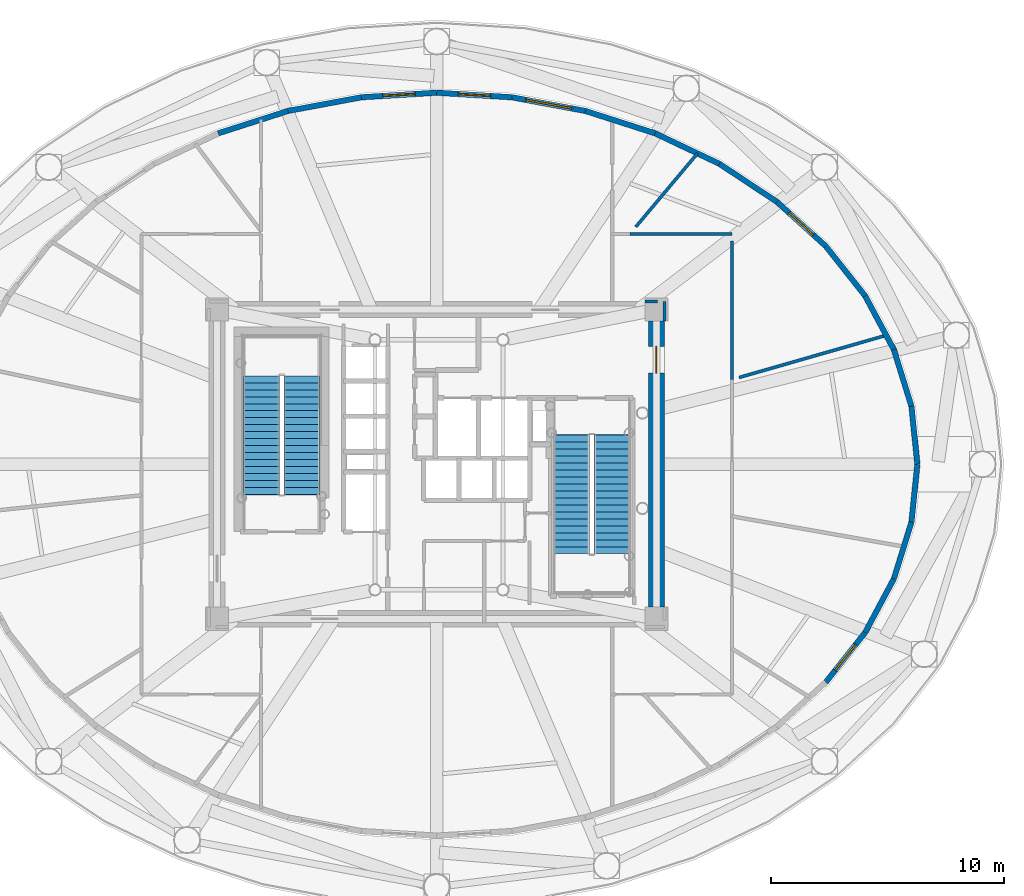
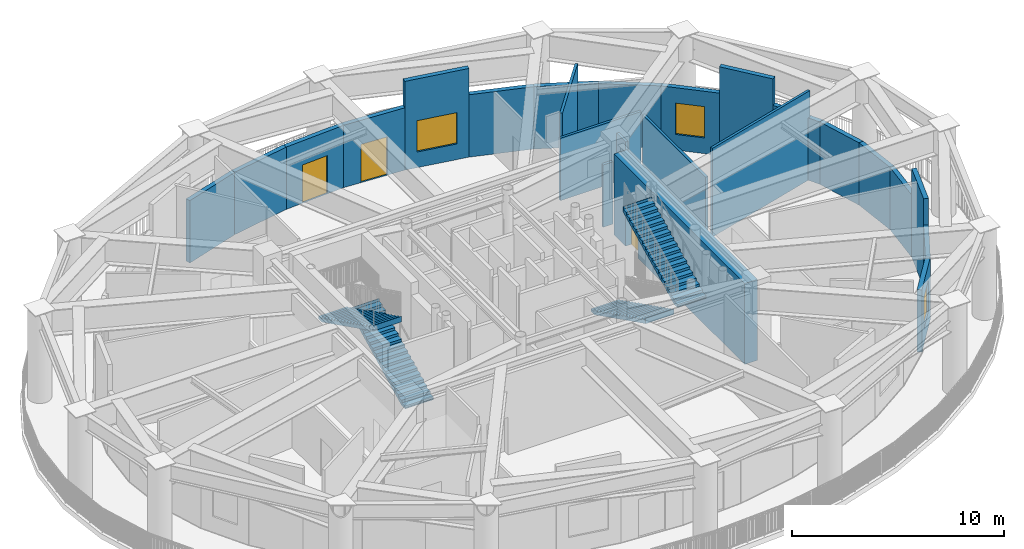
# One storey, part 7 of 14: 24 walls, 4 stair flights, 3 doors, 3 windows, 6 openings, 2 elements without a shape of their own.
"""IFC4 building model written with IfcOpenShell, lengths in metres."""

from ifc_helpers import new_model, si_unit, direction, frame, frame_2d, origin, origin_2d, place, context, subcontext, project, spatial, polyline, rectangle, outline, extrude, source, transform, mapped, material, layer, layer_set, type_object, element, fill, aggregate, save


model = new_model("IFC4")

# Units and contexts
model_context = context("Model", 3, precision=1e-05, world=origin(), true_north=direction((0.0, 1.0)))
body_context = subcontext(model_context, "Body", "Model", "MODEL_VIEW")
ifc_project = project(units=[si_unit("LENGTHUNIT", "METRE"), si_unit("AREAUNIT", "SQUARE_METRE"), si_unit("VOLUMEUNIT", "CUBIC_METRE"), si_unit("PLANEANGLEUNIT", "RADIAN"), si_unit("MASSUNIT", "GRAM", prefix="KILO")], contexts=[model_context])

# Site, building, storey
site_placement = place(None, origin())
site = spatial("IfcSite", under=ifc_project, at=site_placement, CompositionType="ELEMENT")
building_placement = place(site_placement, origin())
building = spatial("IfcBuilding", under=site, at=building_placement, Name="Linh Dai School and Residence Tower", CompositionType="ELEMENT")
storey_placement = place(building_placement, frame((0.0, 0.0, 262.800048828125)))
storey = spatial("IfcBuildingStorey", under=building, at=storey_placement, Name="L65", CompositionType="ELEMENT", Elevation=262.800048828125)

# Walls
ifc_material_1 = material(Name="Precast Concrete B45 (C35/45)", Category="concrete")
ifc_layer_1 = layer(ifc_material_1, 0.239990234375)
ifc_layer_set_1 = layer_set([ifc_layer_1], Name="Precast Concrete B45 (C35/45)")
wall_type_1 = type_object("IfcWallType", Name="EW-TC-240", PredefinedType="SOLIDWALL", material=ifc_layer_set_1)
wall_1_placement = place(storey_placement, frame((56.42138671875, 29.494384765625, 0.0), z_axis=(0.0, 0.0, 1.0), x_axis=(0.101171468586, -0.994869003409, 0.0)))
element("IfcWall", 1, at=wall_1_placement, inside=storey, type_object=wall_type_1, Name="L65 Terracotta Exterior Wall 01", PredefinedType="SOLIDWALL", context=body_context, shape_type="SweptSolid", body=[
    extrude(rectangle(XDim=2.50732421875, YDim=0.239990234375, at=frame_2d((1.253662109375, 0.0))), origin(), (0.0, 0.0, 1.0), 3.5849609375),
])
wall_2_placement = place(storey_placement, frame((55.666748046875, 31.928466796875, 0.0), z_axis=(0.0, 0.0, 1.0), x_axis=(0.296124991875, -0.955149197344, 0.0)))
element("IfcWall", 2, at=wall_2_placement, inside=storey, type_object=wall_type_1, Name="L65 Terracotta Exterior Wall 02", PredefinedType="SOLIDWALL", context=body_context, shape_type="SweptSolid", body=[
    extrude(rectangle(XDim=2.54833984375, YDim=0.239990234375, at=frame_2d((1.274169921875, 0.0))), origin(), (0.0, 0.0, 1.0), 3.5849609375),
])
wall_3_placement = place(storey_placement, frame((54.428466796875, 34.242919921875, 0.0), z_axis=(0.0, 0.0, 1.0), x_axis=(0.47174643097, -0.881734259778, 0.0)))
element("IfcWall", 3, at=wall_3_placement, inside=storey, type_object=wall_type_1, Name="L65 Terracotta Exterior Wall 03", PredefinedType="SOLIDWALL", context=body_context, shape_type="SweptSolid", body=[
    extrude(rectangle(XDim=2.625, YDim=0.239990234375, at=frame_2d((1.3125, 0.0))), origin(), (0.0, 0.0, 1.0), 3.5849609375),
])
wall_4_placement = place(storey_placement, frame((52.736328125, 36.380859375, 0.0), z_axis=(0.0, 0.0, 1.0), x_axis=(0.620613494193, -0.784116630882, 0.0)))
element("IfcWall", 4, at=wall_4_placement, inside=storey, type_object=wall_type_1, Name="L65 Terracotta Exterior Wall 04", PredefinedType="SOLIDWALL", context=body_context, shape_type="SweptSolid", body=[
    extrude(rectangle(XDim=2.7265625, YDim=0.239990234375, at=frame_2d((1.36328125, 0.0))), origin(), (0.0, 0.0, 1.0), 5.099853515625),
])

# Wall, opening, window
wall_5_placement = place(storey_placement, frame((50.63134765625, 38.2890625, 0.0), z_axis=(0.0, 0.0, 1.0), x_axis=(0.740888066362, -0.67162852316, 0.0)))
wall_5 = element("IfcWall", 5, at=wall_5_placement, inside=storey, type_object=wall_type_1, Name="L65 Terracotta Exterior Wall 05", PredefinedType="SOLIDWALL", context=body_context, shape_type="SweptSolid", body=[
    extrude(rectangle(XDim=2.841064453125, YDim=0.239990234375, at=frame_2d((1.42041015625, 0.0))), origin(), (0.0, 0.0, 1.0), 3.5849609375),
])
opening_1_placement = place(wall_5_placement, frame((0.720703125, 0.0, 0.89990234375)))
opening_1 = element("IfcOpeningElement", 6, at=opening_1_placement, cuts=wall_5, Name="Opening W5", PredefinedType="OPENING", context=body_context, shape_type="SweptSolid", body=[
    extrude(rectangle(XDim=1.39990234375, YDim=1.800048828125, at=origin_2d()), frame((0.699951171875, 0.1298828125, 0.89990234375), z_axis=(0.0, -1.0, 0.0), x_axis=(1.0, 0.0, 0.0)), (0.0, 0.0, 1.0), 0.260009765625),
])
ifc_material_2 = material(Name="Anodised Aluminium Weather Louvre", Category="aluminium")
window_type = type_object("IfcWindowType", Name="WN-LV-2000x1800", PartitioningType="SINGLE_PANEL", PredefinedType="USERDEFINED", material=ifc_material_2)
shared_shape_1 = source(origin(), body_context, "Body", "SweptSolid", [
    extrude(rectangle(XDim=1.39990234375, YDim=1.800048828125, at=origin_2d()), frame((0.699951171875, 0.030029296875, 0.89990234375), z_axis=(0.0, -1.0, 0.0), x_axis=(1.0, 0.0, 0.0)), (0.0, 0.0, 1.0), 0.06005859375),
])
window_1_placement = place(opening_1_placement, origin())
window_1 = element("IfcWindow", 7, at=window_1_placement, inside=storey, type_object=window_type, Name="L65 Plant Weather Louvre 05", ObjectType="LOUVRE VENT", OverallHeight=1.800048828125, OverallWidth=1.39990234375, PartitioningType="SINGLE_PANEL", PredefinedType="USERDEFINED", context=body_context, shape_type="MappedRepresentation", body=[
    mapped(shared_shape_1, transform((0.0, 0.0, 0.0), x_axis=(1.0, 0.0, 0.0), y_axis=(0.0, 1.0, 0.0), z_axis=(0.0, 0.0, 1.0), scale=1.0)),
])
fill(opening_1, window_1)

# Walls
wall_6_placement = place(storey_placement, frame((48.16455078125, 39.920166015625, 0.0), z_axis=(0.0, 0.0, 1.0), x_axis=(0.834139994044, -0.551552781097, 0.0)))
element("IfcWall", 8, at=wall_6_placement, inside=storey, type_object=wall_type_1, Name="L65 Terracotta Exterior Wall 06", PredefinedType="SOLIDWALL", context=body_context, shape_type="SweptSolid", body=[
    extrude(rectangle(XDim=2.957275390625, YDim=0.239990234375, at=frame_2d((1.478515625, 0.0))), origin(), (0.0, 0.0, 1.0), 3.5849609375),
])
wall_7_placement = place(storey_placement, frame((45.397216796875, 41.2333984375, 0.0), z_axis=(0.0, 0.0, 1.0), x_axis=(0.903435751873, -0.428723503249, 0.0)))
element("IfcWall", 9, at=wall_7_placement, inside=storey, type_object=wall_type_1, Name="L65 Terracotta Exterior Wall 07", PredefinedType="SOLIDWALL", context=body_context, shape_type="SweptSolid", body=[
    extrude(rectangle(XDim=3.063232421875, YDim=0.239990234375, at=frame_2d((1.53173828125, 0.0))), origin(), (0.0, 0.0, 1.0), 3.5849609375),
])
wall_8_placement = place(storey_placement, frame((42.39697265625, 42.195556640625, 0.0), z_axis=(0.0, 0.0, 1.0), x_axis=(0.95223232308, -0.305374528868, 0.0)))
element("IfcWall", 10, at=wall_8_placement, inside=storey, type_object=wall_type_1, Name="L65 Terracotta Exterior Wall 08", PredefinedType="SOLIDWALL", context=body_context, shape_type="SweptSolid", body=[
    extrude(rectangle(XDim=3.150634765625, YDim=0.239990234375, at=frame_2d((1.5751953125, 0.0))), origin(), (0.0, 0.0, 1.0), 3.5849609375),
])

# Wall, opening, window
wall_9_placement = place(storey_placement, frame((39.238525390625, 42.78271484375, 0.0), z_axis=(0.0, 0.0, 1.0), x_axis=(0.983155782133, -0.182769549048, 0.0)))
wall_9 = element("IfcWall", 11, at=wall_9_placement, inside=storey, type_object=wall_type_1, Name="L65 Terracotta Exterior Wall 09", PredefinedType="SOLIDWALL", context=body_context, shape_type="SweptSolid", body=[
    extrude(rectangle(XDim=3.212646484375, YDim=0.239990234375, at=frame_2d((1.6064453125, 0.0))), origin(), (0.0, 0.0, 1.0), 5.099853515625),
])
opening_2_placement = place(wall_9_placement, frame((0.606201171875, 0.0, 0.89990234375)))
opening_2 = element("IfcOpeningElement", 12, at=opening_2_placement, cuts=wall_9, Name="Opening W5", PredefinedType="OPENING", context=body_context, shape_type="SweptSolid", body=[
    extrude(rectangle(XDim=2.0, YDim=1.800048828125, at=origin_2d()), frame((1.0, 0.1298828125, 0.89990234375), z_axis=(0.0, -1.0, 0.0), x_axis=(1.0, 0.0, 0.0)), (0.0, 0.0, 1.0), 0.260009765625),
])
shared_shape_2 = source(origin(), body_context, "Body", "SweptSolid", [
    extrude(rectangle(XDim=2.0, YDim=1.800048828125, at=origin_2d()), frame((1.0, 0.030029296875, 0.89990234375), z_axis=(0.0, -1.0, 0.0), x_axis=(1.0, 0.0, 0.0)), (0.0, 0.0, 1.0), 0.06005859375),
])
window_2_placement = place(opening_2_placement, origin())
window_2 = element("IfcWindow", 13, at=window_2_placement, inside=storey, type_object=window_type, Name="L65 Plant Weather Louvre 09", ObjectType="LOUVRE VENT", OverallHeight=1.800048828125, OverallWidth=2.0, PartitioningType="SINGLE_PANEL", PredefinedType="USERDEFINED", context=body_context, shape_type="MappedRepresentation", body=[
    mapped(shared_shape_2, transform((0.0, 0.0, 0.0), x_axis=(1.0, 0.0, 0.0), y_axis=(0.0, 1.0, 0.0), z_axis=(0.0, 0.0, 1.0), scale=1.0)),
])
fill(opening_2, window_2)

# Wall, opening, door
wall_10_placement = place(storey_placement, frame((36.0, 42.97998046875, 0.0), z_axis=(0.0, 0.0, 1.0), x_axis=(0.998149999918, -0.060799487368, 0.0)))
wall_10 = element("IfcWall", 14, at=wall_10_placement, inside=storey, type_object=wall_type_1, Name="L65 Terracotta Exterior Wall 10", PredefinedType="SOLIDWALL", context=body_context, shape_type="SweptSolid", body=[
    extrude(rectangle(XDim=3.24462890625, YDim=0.239990234375, at=frame_2d((1.622314453125, 0.0))), origin(), (0.0, 0.0, 1.0), 3.5849609375),
])
opening_3_placement = place(wall_10_placement, frame((0.92236328125, 0.0, 0.0)))
opening_3 = element("IfcOpeningElement", 15, at=opening_3_placement, cuts=wall_10, Name="Opening DD1", PredefinedType="OPENING", context=body_context, shape_type="SweptSolid", body=[
    extrude(rectangle(XDim=1.39990234375, YDim=2.199951171875, at=origin_2d()), frame((0.699951171875, 0.1298828125, 1.10009765625), z_axis=(0.0, -1.0, 0.0), x_axis=(1.0, 0.0, 0.0)), (0.0, 0.0, 1.0), 0.260009765625),
])
ifc_material_3 = material(Name="Glazed Aluminium Terrace Door", Category="aluminium")
door_type_1 = type_object("IfcDoorType", Name="DR-DECK-1400x2200", OperationType="NOTDEFINED", PredefinedType="DOOR", material=ifc_material_3)
shared_shape_3 = source(origin(), body_context, "Body", "SweptSolid", [
    extrude(rectangle(XDim=1.39990234375, YDim=2.199951171875, at=origin_2d()), frame((0.699951171875, 0.02490234375, 1.10009765625), z_axis=(0.0, -1.0, 0.0), x_axis=(1.0, 0.0, 0.0)), (0.0, 0.0, 1.0), 0.050048828125),
])
door_1_placement = place(opening_3_placement, origin())
door_1 = element("IfcDoor", 16, at=door_1_placement, inside=storey, type_object=door_type_1, Name="L65 Outdoor Terrace Access Door 10", OperationType="SINGLE_SWING_RIGHT", OverallHeight=2.199951171875, OverallWidth=1.39990234375, PredefinedType="DOOR", context=body_context, shape_type="MappedRepresentation", body=[
    mapped(shared_shape_3, transform((0.0, 0.0, 0.0), x_axis=(1.0, 0.0, 0.0), y_axis=(0.0, 1.0, 0.0), z_axis=(0.0, 0.0, 1.0), scale=1.0)),
])
fill(opening_3, door_1)

wall_11_placement = place(storey_placement, frame((32.761474609375, 42.78271484375, 0.0), z_axis=(0.0, 0.0, 1.0), x_axis=(0.998149999918, 0.060799487368, 0.0)))
wall_11 = element("IfcWall", 17, at=wall_11_placement, inside=storey, type_object=wall_type_1, Name="L65 Terracotta Exterior Wall 11", PredefinedType="SOLIDWALL", context=body_context, shape_type="SweptSolid", body=[
    extrude(rectangle(XDim=3.24462890625, YDim=0.239990234375, at=frame_2d((1.622314453125, 0.0))), origin(), (0.0, 0.0, 1.0), 3.5849609375),
])
opening_4_placement = place(wall_11_placement, frame((0.92236328125, 0.0, 0.0)))
opening_4 = element("IfcOpeningElement", 18, at=opening_4_placement, cuts=wall_11, Name="Opening DD1", PredefinedType="OPENING", context=body_context, shape_type="SweptSolid", body=[
    extrude(rectangle(XDim=1.39990234375, YDim=2.199951171875, at=origin_2d()), frame((0.699951171875, 0.1298828125, 1.10009765625), z_axis=(0.0, -1.0, 0.0), x_axis=(1.0, 0.0, 0.0)), (0.0, 0.0, 1.0), 0.260009765625),
])
door_2_placement = place(opening_4_placement, origin())
door_2 = element("IfcDoor", 19, at=door_2_placement, inside=storey, type_object=door_type_1, Name="L65 Outdoor Terrace Access Door 11", OperationType="SINGLE_SWING_LEFT", OverallHeight=2.199951171875, OverallWidth=1.39990234375, PredefinedType="DOOR", context=body_context, shape_type="MappedRepresentation", body=[
    mapped(shared_shape_3, transform((0.0, 0.0, 0.0), x_axis=(1.0, 0.0, 0.0), y_axis=(0.0, 1.0, 0.0), z_axis=(0.0, 0.0, 1.0), scale=1.0)),
])
fill(opening_4, door_2)

# Walls
wall_12_placement = place(storey_placement, frame((29.60302734375, 42.195556640625, 0.0), z_axis=(0.0, 0.0, 1.0), x_axis=(0.983155782133, 0.182769549048, 0.0)))
element("IfcWall", 20, at=wall_12_placement, inside=storey, type_object=wall_type_1, Name="L65 Terracotta Exterior Wall 12", PredefinedType="SOLIDWALL", context=body_context, shape_type="SweptSolid", body=[
    extrude(rectangle(XDim=3.212646484375, YDim=0.239990234375, at=frame_2d((1.6064453125, 0.0))), origin(), (0.0, 0.0, 1.0), 3.5849609375),
])
wall_13_placement = place(storey_placement, frame((26.602783203125, 41.2333984375, 0.0), z_axis=(0.0, 0.0, 1.0), x_axis=(0.95223232308, 0.305374528868, 0.0)))
element("IfcWall", 21, at=wall_13_placement, inside=storey, type_object=wall_type_1, Name="L65 Terracotta Exterior Wall 13", PredefinedType="SOLIDWALL", context=body_context, shape_type="SweptSolid", body=[
    extrude(rectangle(XDim=3.150634765625, YDim=0.239990234375, at=frame_2d((1.5751953125, 0.0))), origin(), (0.0, 0.0, 1.0), 3.5849609375),
])

# Wall, opening, window
wall_14_placement = place(storey_placement, frame((54.428466796875, 19.757080078125, 0.0), z_axis=(0.0, 0.0, 1.0), x_axis=(-0.620613494193, -0.784116630882, 0.0)))
wall_14 = element("IfcWall", 22, at=wall_14_placement, inside=storey, type_object=wall_type_1, Name="L65 Terracotta Exterior Wall 37", PredefinedType="SOLIDWALL", context=body_context, shape_type="SweptSolid", body=[
    extrude(rectangle(XDim=2.7265625, YDim=0.239990234375, at=frame_2d((1.36328125, 0.0))), origin(), (0.0, 0.0, 1.0), 3.5849609375),
])
opening_5_placement = place(wall_14_placement, frame((0.663330078125, 0.0, 0.89990234375)))
opening_5 = element("IfcOpeningElement", 23, at=opening_5_placement, cuts=wall_14, Name="Opening W5", PredefinedType="OPENING", context=body_context, shape_type="SweptSolid", body=[
    extrude(rectangle(XDim=1.39990234375, YDim=1.800048828125, at=origin_2d()), frame((0.699951171875, 0.1298828125, 0.89990234375), z_axis=(0.0, -1.0, 0.0), x_axis=(1.0, 0.0, 0.0)), (0.0, 0.0, 1.0), 0.260009765625),
])
window_3_placement = place(opening_5_placement, origin())
window_3 = element("IfcWindow", 24, at=window_3_placement, inside=storey, type_object=window_type, Name="L65 Plant Weather Louvre 37", ObjectType="LOUVRE VENT", OverallHeight=1.800048828125, OverallWidth=1.39990234375, PartitioningType="SINGLE_PANEL", PredefinedType="USERDEFINED", context=body_context, shape_type="MappedRepresentation", body=[
    mapped(shared_shape_1, transform((0.0, 0.0, 0.0), x_axis=(1.0, 0.0, 0.0), y_axis=(0.0, 1.0, 0.0), z_axis=(0.0, 0.0, 1.0), scale=1.0)),
])
fill(opening_5, window_3)

# Walls
wall_15_placement = place(storey_placement, frame((55.666748046875, 22.071533203125, 0.0), z_axis=(0.0, 0.0, 1.0), x_axis=(-0.47174643097, -0.881734259778, 0.0)))
element("IfcWall", 25, at=wall_15_placement, inside=storey, type_object=wall_type_1, Name="L65 Terracotta Exterior Wall 38", PredefinedType="SOLIDWALL", context=body_context, shape_type="SweptSolid", body=[
    extrude(rectangle(XDim=2.625, YDim=0.239990234375, at=frame_2d((1.3125, 0.0))), origin(), (0.0, 0.0, 1.0), 3.5849609375),
])
wall_16_placement = place(storey_placement, frame((56.42138671875, 24.505615234375, 0.0), z_axis=(0.0, 0.0, 1.0), x_axis=(-0.296124991875, -0.955149197344, 0.0)))
element("IfcWall", 26, at=wall_16_placement, inside=storey, type_object=wall_type_1, Name="L65 Terracotta Exterior Wall 39", PredefinedType="SOLIDWALL", context=body_context, shape_type="SweptSolid", body=[
    extrude(rectangle(XDim=2.54833984375, YDim=0.239990234375, at=frame_2d((1.274169921875, 0.0))), origin(), (0.0, 0.0, 1.0), 5.099853515625),
])
wall_17_placement = place(storey_placement, frame((56.675048828125, 27.0, 0.0), z_axis=(0.0, 0.0, 1.0), x_axis=(-0.101171468586, -0.994869003409, 0.0)))
element("IfcWall", 27, at=wall_17_placement, inside=storey, type_object=wall_type_1, Name="L65 Terracotta Exterior Wall 40", PredefinedType="SOLIDWALL", context=body_context, shape_type="SweptSolid", body=[
    extrude(rectangle(XDim=2.50732421875, YDim=0.239990234375, at=frame_2d((1.253662109375, 0.0))), origin(), (0.0, 0.0, 1.0), 3.5849609375),
])
ifc_material_4 = material(Name="Autoclaved Aerated Concrete Blockwork", Category="masonry")
ifc_layer_2 = layer(ifc_material_4, 0.135009765625)
ifc_layer_set_2 = layer_set([ifc_layer_2], Name="Autoclaved Aerated Concrete Blockwork")
wall_type_2 = type_object("IfcWallType", Name="IW-CORR-135-EI90", PredefinedType="PARTITIONING", material=ifc_layer_set_2)
wall_18_placement = place(storey_placement, frame((45.800048828125, 33.159912109375, 0.0), z_axis=(0.0, 0.0, 1.0), x_axis=(0.0, 1.0, 0.0)))
element("IfcWall", 28, at=wall_18_placement, inside=storey, type_object=wall_type_2, Name="L65 Interior Partition Wall 068", PredefinedType="PARTITIONING", context=body_context, shape_type="SweptSolid", body=[
    extrude(rectangle(XDim=0.840087890625, YDim=0.135009765625, at=frame_2d((0.419921875, 0.0))), origin(), (0.0, 0.0, 1.0), 5.099853515625),
])
wall_19_placement = place(storey_placement, frame((45.492431640625, 34.0, 0.0), z_axis=(0.0, 0.0, 1.0), x_axis=(-1.0, 0.0, 0.0)))
element("IfcWall", 29, at=wall_19_placement, inside=storey, type_object=wall_type_2, Name="L65 Interior Partition Wall 069", PredefinedType="PARTITIONING", context=body_context, shape_type="SweptSolid", body=[
    extrude(rectangle(XDim=0.532470703125, YDim=0.135009765625, at=frame_2d((0.26611328125, 0.0))), origin(), (0.0, 0.0, 1.0), 3.5849609375),
])
wall_20_placement = place(storey_placement, frame((44.317138671875, 36.89990234375, 0.0), z_axis=(0.0, 0.0, 1.0), x_axis=(1.0, 0.0, 0.0)))
element("IfcWall", 30, at=wall_20_placement, inside=storey, type_object=wall_type_2, Name="L65 Interior Partition Wall 070", PredefinedType="PARTITIONING", context=body_context, shape_type="SweptSolid", body=[
    extrude(rectangle(XDim=4.3828125, YDim=0.135009765625, at=frame_2d((2.19140625, 0.0))), origin(), (0.0, 0.0, 1.0), 3.5849609375),
])
wall_21_placement = place(storey_placement, frame((48.699951171875, 36.592529296875, 0.0), z_axis=(0.0, 0.0, 1.0), x_axis=(0.0, -1.0, 0.0)))
element("IfcWall", 31, at=wall_21_placement, inside=storey, type_object=wall_type_2, Name="L65 Interior Partition Wall 071", PredefinedType="PARTITIONING", context=body_context, shape_type="SweptSolid", body=[
    extrude(rectangle(XDim=5.94091796875, YDim=0.135009765625, at=frame_2d((2.970458984375, 0.0))), origin(), (0.0, 0.0, 1.0), 3.5849609375),
])
wall_22_placement = place(storey_placement, frame((49.007568359375, 30.729736328125, 0.0), z_axis=(0.0, 0.0, 1.0), x_axis=(0.961257857841, 0.275650740502, 0.0)))
element("IfcWall", 32, at=wall_22_placement, inside=storey, type_object=wall_type_2, Name="L65 Interior Partition Wall 072", PredefinedType="PARTITIONING", context=body_context, shape_type="SweptSolid", body=[
    extrude(rectangle(XDim=6.589599609375, YDim=0.135009765625, at=frame_2d((3.294921875, 0.0))), origin(), (0.0, 0.0, 1.0), 5.099853515625),
])
wall_23_placement = place(storey_placement, frame((47.221435546875, 40.373291015625, 0.0), z_axis=(0.0, 0.0, 1.0), x_axis=(-0.642766637994, -0.766062039969, 0.0)))
element("IfcWall", 33, at=wall_23_placement, inside=storey, type_object=wall_type_2, Name="L65 Interior Partition Wall 073", PredefinedType="PARTITIONING", context=body_context, shape_type="SweptSolid", body=[
    extrude(rectangle(XDim=4.132568359375, YDim=0.135009765625, at=frame_2d((2.06640625, 0.0))), origin(), (0.0, 0.0, 1.0), 4.724853515625),
])

# Wall, opening, door
ifc_material_5 = material(Name="Concrete B45 (C35/45)", Category="concrete")
ifc_layer_3 = layer(ifc_material_5, 0.699951171875)
ifc_layer_set_3 = layer_set([ifc_layer_3], Name="Concrete B45 (C35/45)")
wall_type_3 = type_object("IfcWallType", Name="WL-CORE700", PredefinedType="SHEAR", material=ifc_layer_set_3)
wall_24_placement = place(storey_placement, frame((45.449951171875, 33.14990234375, 0.0), z_axis=(0.0, 0.0, 1.0), x_axis=(0.0, -1.0, 0.0)))
wall_24 = element("IfcWall", 34, at=wall_24_placement, inside=storey, type_object=wall_type_3, Name="L65 Central Core Shear Wall E", PredefinedType="SHEAR", context=body_context, shape_type="SweptSolid", body=[
    extrude(rectangle(XDim=12.2998046875, YDim=0.699951171875, at=frame_2d((6.14990234375, 0.0))), origin(), (0.0, 0.0, 1.0), 4.64990234375),
])
opening_6_placement = place(wall_24_placement, frame((1.085205078125, 0.0, 0.0)))
opening_6 = element("IfcOpeningElement", 35, at=opening_6_placement, cuts=wall_24, Name="Opening D02", PredefinedType="OPENING", context=body_context, shape_type="SweptSolid", body=[
    extrude(rectangle(XDim=1.14990234375, YDim=2.14990234375, at=origin_2d()), frame((0.574951171875, 0.35986328125, 1.074951171875), z_axis=(0.0, -1.0, 0.0), x_axis=(1.0, 0.0, 0.0)), (0.0, 0.0, 1.0), 0.719970703125),
])
ifc_material_6 = material(Name="Fire-Rated Glazed Steel Lobby Door", Category="steel")
door_type_2 = type_object("IfcDoorType", Name="DR-LOBBY-1150x2150-FD90S", OperationType="NOTDEFINED", PredefinedType="DOOR", material=ifc_material_6)
shared_shape_4 = source(origin(), body_context, "Body", "SweptSolid", [
    extrude(rectangle(XDim=1.14990234375, YDim=2.14990234375, at=origin_2d()), frame((0.574951171875, 0.02490234375, 1.074951171875), z_axis=(0.0, -1.0, 0.0), x_axis=(1.0, 0.0, 0.0)), (0.0, 0.0, 1.0), 0.050048828125),
])
door_3_placement = place(opening_6_placement, origin())
door_3 = element("IfcDoor", 36, at=door_3_placement, inside=storey, type_object=door_type_2, Name="L65 Firefighting Lobby Door", OperationType="SINGLE_SWING_LEFT", OverallHeight=2.14990234375, OverallWidth=1.14990234375, PredefinedType="DOOR", context=body_context, shape_type="MappedRepresentation", body=[
    mapped(shared_shape_4, transform((0.0, 0.0, 0.0), x_axis=(1.0, 0.0, 0.0), y_axis=(0.0, 1.0, 0.0), z_axis=(0.0, 0.0, 1.0), scale=1.0)),
])
fill(opening_6, door_3)

# Stair, stair flights
stair_type = type_object("IfcStairType", Name="ST-DOG-1550-R1500", PredefinedType="HALF_TURN_STAIR", material=ifc_material_5)
stair_1_placement = place(storey_placement, origin())
stair_1 = element("IfcStair", 37, at=stair_1_placement, inside=storey, type_object=stair_type, Name="L65 Core Smokeproof Exit Stair ST1", PredefinedType="HALF_TURN_STAIR")
stair_flight_type = type_object("IfcStairFlightType", Name="STF-STR-1550-R1500", PredefinedType="STRAIGHT", material=ifc_material_5)
shared_shape_5 = source(origin(), body_context, "Body", "SweptSolid", [
    extrude(outline(polyline([(-0.02490234375, 0.0), (-0.02490234375, 0.06005859375), (0.0, 0.06005859375), (0.0, 0.14990234375), (0.300048828125, 0.14990234375), (0.300048828125, 0.300048828125), (0.60009765625, 0.300048828125), (0.60009765625, 0.449951171875), (0.89990234375, 0.449951171875), (0.89990234375, 0.60009765625), (1.199951171875, 0.60009765625), (1.199951171875, 0.75), (1.5, 0.75), (1.5, 0.89990234375), (1.800048828125, 0.89990234375), (1.800048828125, 1.050048828125), (2.10009765625, 1.050048828125), (2.10009765625, 1.199951171875), (2.39990234375, 1.199951171875), (2.39990234375, 1.35009765625), (2.699951171875, 1.35009765625), (2.699951171875, 1.5), (3.0, 1.5), (3.0, 1.64990234375), (3.300048828125, 1.64990234375), (3.300048828125, 1.800048828125), (3.60009765625, 1.800048828125), (3.60009765625, 1.949951171875), (3.89990234375, 1.949951171875), (3.89990234375, 2.10009765625), (4.199951171875, 2.10009765625), (4.199951171875, 2.25), (4.5, 2.25), (4.5, 2.39990234375), (4.800048828125, 2.39990234375), (4.800048828125, 2.550048828125), (5.10009765625, 2.550048828125), (5.10009765625, 2.699951171875), (5.125, 2.699951171875), (5.125, 2.38232421875), (5.10009765625, 2.38232421875), (0.335205078125, 0.0), (-0.02490234375, 0.0)])), frame((0.0, 0.77490234375, 0.0), z_axis=(0.0, -1.0, 0.0), x_axis=(1.0, 0.0, 0.0)), (0.0, 0.0, 1.0), 1.550048828125),
])
stair_flight_1_placement = place(storey_placement, frame((30.205078125, 25.699951171875, 0.0), z_axis=(0.0, 0.0, 1.0), x_axis=(0.0, 1.0, 0.0)))
stair_flight_1 = element("IfcStairFlight", 38, at=stair_flight_1_placement, type_object=stair_flight_type, Name="ST1 flight 1", NumberOfRisers=18, NumberOfTreads=17, PredefinedType="STRAIGHT", RiserHeight=0.15, TreadLength=0.3, context=body_context, shape_type="MappedRepresentation", body=[
    mapped(shared_shape_5, transform((0.0, 0.0, 0.0), x_axis=(1.0, 0.0, 0.0), y_axis=(0.0, 1.0, 0.0), z_axis=(0.0, 0.0, 1.0), scale=1.0)),
])
stair_flight_2_placement = place(storey_placement, frame((28.455078125, 30.800048828125, 2.699951171875), z_axis=(0.0, 0.0, 1.0), x_axis=(0.0, -1.0, 0.0)))
stair_flight_2 = element("IfcStairFlight", 39, at=stair_flight_2_placement, type_object=stair_flight_type, Name="ST1 flight 2", NumberOfRisers=18, NumberOfTreads=17, PredefinedType="STRAIGHT", RiserHeight=0.15, TreadLength=0.3, context=body_context, shape_type="MappedRepresentation", body=[
    mapped(shared_shape_5, transform((0.0, 0.0, 0.0), x_axis=(1.0, 0.0, 0.0), y_axis=(0.0, 1.0, 0.0), z_axis=(0.0, 0.0, 1.0), scale=1.0)),
])
aggregate(stair_1, [stair_flight_1, stair_flight_2])

stair_2_placement = place(storey_placement, origin())
stair_2 = element("IfcStair", 40, at=stair_2_placement, inside=storey, type_object=stair_type, Name="L65 Core Smokeproof Exit Stair ST2", PredefinedType="HALF_TURN_STAIR")
stair_flight_3_placement = place(storey_placement, frame((41.794921875, 28.25, 0.0), z_axis=(0.0, 0.0, 1.0), x_axis=(0.0, -1.0, 0.0)))
stair_flight_3 = element("IfcStairFlight", 41, at=stair_flight_3_placement, type_object=stair_flight_type, Name="ST2 flight 1", NumberOfRisers=18, NumberOfTreads=17, PredefinedType="STRAIGHT", RiserHeight=0.15, TreadLength=0.3, context=body_context, shape_type="MappedRepresentation", body=[
    mapped(shared_shape_5, transform((0.0, 0.0, 0.0), x_axis=(1.0, 0.0, 0.0), y_axis=(0.0, 1.0, 0.0), z_axis=(0.0, 0.0, 1.0), scale=1.0)),
])
stair_flight_4_placement = place(storey_placement, frame((43.544921875, 23.14990234375, 2.699951171875), z_axis=(0.0, 0.0, 1.0), x_axis=(0.0, 1.0, 0.0)))
stair_flight_4 = element("IfcStairFlight", 42, at=stair_flight_4_placement, type_object=stair_flight_type, Name="ST2 flight 2", NumberOfRisers=18, NumberOfTreads=17, PredefinedType="STRAIGHT", RiserHeight=0.15, TreadLength=0.3, context=body_context, shape_type="MappedRepresentation", body=[
    mapped(shared_shape_5, transform((0.0, 0.0, 0.0), x_axis=(1.0, 0.0, 0.0), y_axis=(0.0, 1.0, 0.0), z_axis=(0.0, 0.0, 1.0), scale=1.0)),
])
aggregate(stair_2, [stair_flight_3, stair_flight_4])

save(model, "model.ifc")
